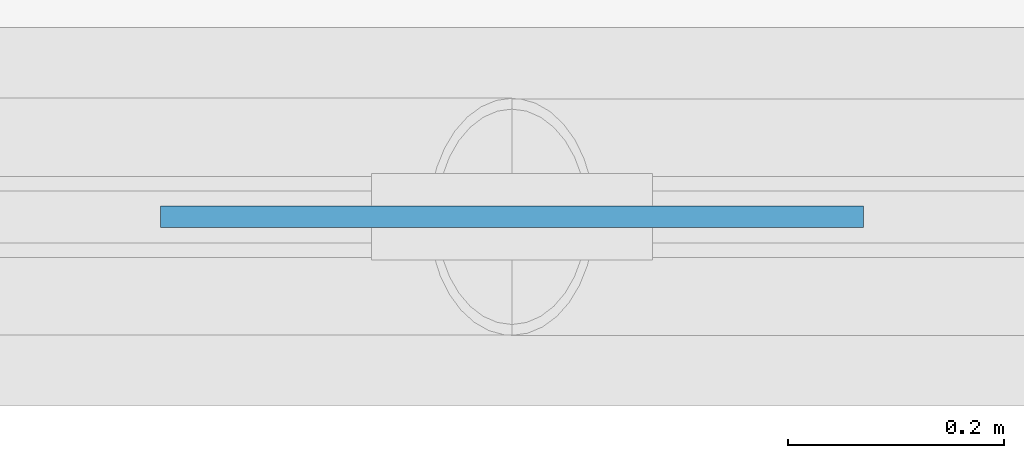
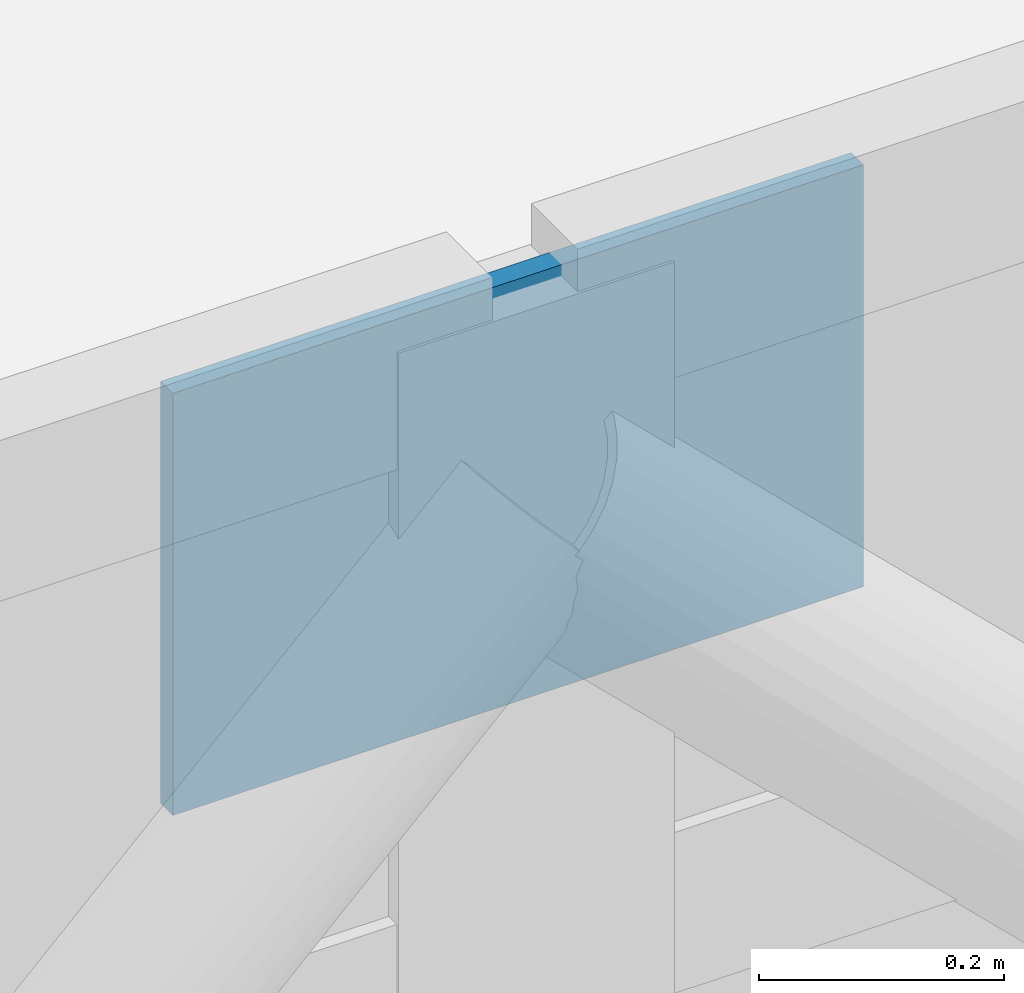
# One storey, part 36 of 62: 1 plate.
"""IFC4 building model written with IfcOpenShell, lengths in metres."""

from ifc_helpers import new_model, si_unit, direction, frame, origin, origin_2d, place, context, subcontext, project, spatial, rectangle, extrude, material, type_object, element, save


model = new_model("IFC4")

# Units and contexts
model_context = context("Model", 3, precision=1e-05, world=origin(), true_north=direction((0.0, 1.0)))
body_context = subcontext(model_context, "Body", "Model", "MODEL_VIEW")
ifc_project = project(units=[si_unit("LENGTHUNIT", "METRE"), si_unit("AREAUNIT", "SQUARE_METRE"), si_unit("VOLUMEUNIT", "CUBIC_METRE"), si_unit("PLANEANGLEUNIT", "RADIAN"), si_unit("MASSUNIT", "GRAM", prefix="KILO")], contexts=[model_context])

# Site, building, storey
site_placement = place(None, origin())
site = spatial("IfcSite", under=ifc_project, at=site_placement, CompositionType="ELEMENT")
building_placement = place(site_placement, origin())
building = spatial("IfcBuilding", under=site, at=building_placement, Name="Valkovuoma Quantum and Materials Research Institute", CompositionType="ELEMENT")
storey_placement = place(building_placement, frame((0.0, 0.0, 8.9599609375)))
storey = spatial("IfcBuildingStorey", under=building, at=storey_placement, Name="L02", CompositionType="ELEMENT", Elevation=8.9599609375)

# Plate
ifc_material = material(Name="Steel S355J2", Category="steel")
plate_type = type_object("IfcPlateType", Name="Plate-PL-SHT2", PredefinedType="SHEET", material=ifc_material)
plate_placement = place(storey_placement, frame((97.199951171875, 36.0, 3.400146484375), z_axis=(0.0, 0.0, 1.0), x_axis=(1.0, 0.0, 0.0)))
element("IfcPlate", 1, at=plate_placement, inside=storey, type_object=plate_type, Name="L02 chevron node sheet plate 07", PredefinedType="SHEET", context=body_context, shape_type="SweptSolid", body=[
    extrude(rectangle(XDim=0.64990234375, YDim=0.02001953125, at=origin_2d()), origin(), (0.0, 0.0, 1.0), 0.419921875),
])

save(model, "model.ifc")
